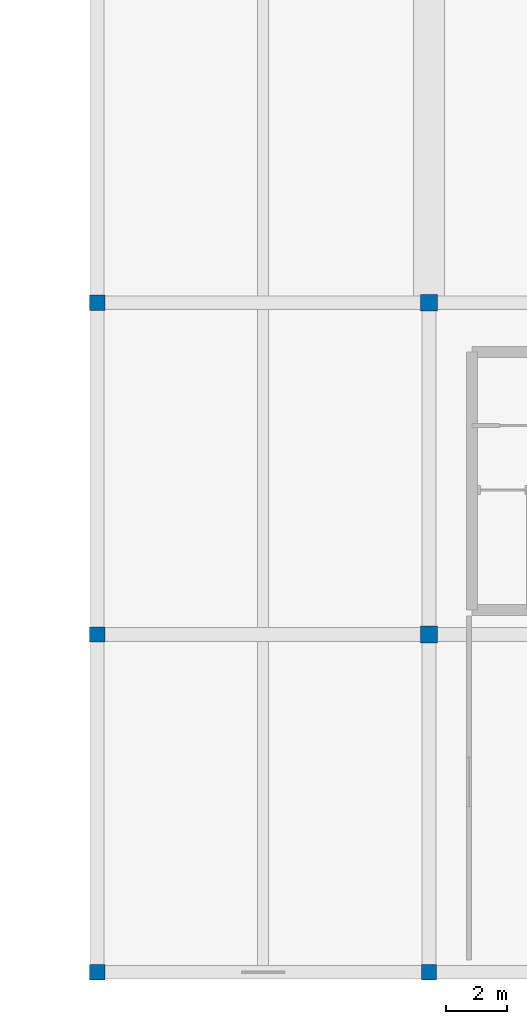
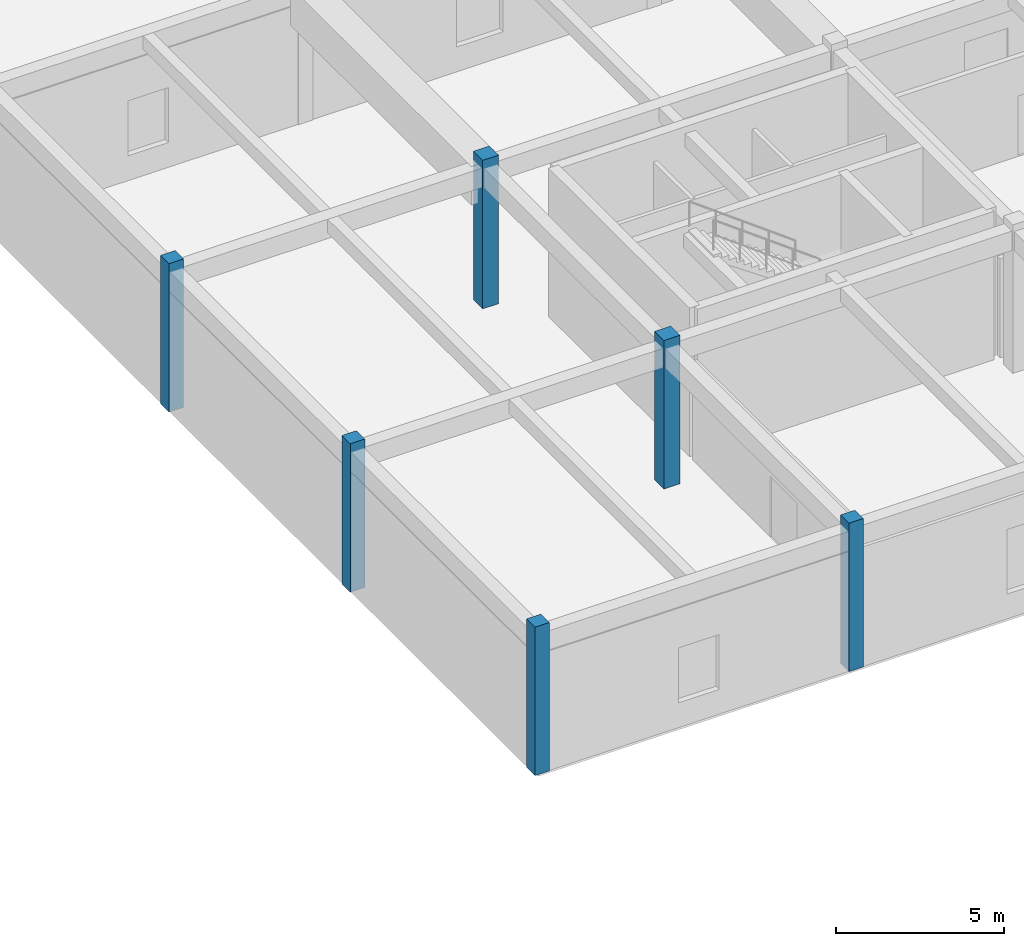
# One storey, part 5 of 97: 6 columns.
"""IFC4 building model written with IfcOpenShell, lengths in metres."""

from ifc_helpers import new_model, si_unit, derived_unit, direction, frame, origin, origin_2d, place, context, subcontext, project, spatial, rectangle, extrude, material, material_profile, profile_set, type_object, element, save


model = new_model("IFC4")

# Units and contexts
model_context = context("Model", 3, precision=1e-05, world=origin(), true_north=direction((0.0, 1.0)))
body_context = subcontext(model_context, "Body", "Model", "MODEL_VIEW")
ifc_project = project(units=[si_unit("LENGTHUNIT", "METRE"), si_unit("AREAUNIT", "SQUARE_METRE"), si_unit("VOLUMEUNIT", "CUBIC_METRE"), si_unit("PLANEANGLEUNIT", "RADIAN"), si_unit("MASSUNIT", "GRAM", prefix="KILO"), derived_unit("THERMALTRANSMITTANCEUNIT", [(si_unit("POWERUNIT", "WATT"), 1), (si_unit("LENGTHUNIT", "METRE"), -2), (si_unit("THERMODYNAMICTEMPERATUREUNIT", "KELVIN"), -1)])], contexts=[model_context])

# Site, building, storey
site_placement = place(None, origin())
site = spatial("IfcSite", under=ifc_project, at=site_placement, CompositionType="ELEMENT")
building_placement = place(site_placement, origin())
building = spatial("IfcBuilding", under=site, at=building_placement, Name="Almenara Railside Exhibition Hall", CompositionType="ELEMENT")
storey_placement = place(building_placement, frame((0.0, 0.0, 10.800048828125)))
storey = spatial("IfcBuildingStorey", under=building, at=storey_placement, Name="L02", CompositionType="ELEMENT", Elevation=10.800048828125)

# Columns
ifc_material = material(Name="Concrete C35/45", Category="concrete")
ifc_material_profile_1 = material_profile(ifc_material, rectangle(XDim=0.5, YDim=0.5, at=origin_2d()), Name="RC 500x500")
ifc_profile_set_1 = profile_set([ifc_material_profile_1], Name="Concrete C35/45")
column_type_1 = type_object("IfcColumnType", Name="RC Column 500x500 C35/45", PredefinedType="COLUMN", material=ifc_profile_set_1)
for number, where, z_axis, x_axis, name in (
    (1, (115.199951171875, 0.0, 0.0), (0.0, 0.0, 1.0), (1.0, 0.0, 0.0), "Column 0288"),
    (2, (115.199951171875, 11.0, 0.0), (0.0, 0.0, 1.0), (1.0, 0.0, 0.0), "Column 0292"),
    (3, (115.199951171875, 21.800048828125, 0.0), (0.0, 0.0, 1.0), (1.0, 0.0, 0.0), "Column 0296"),
    (4, (126.0, 0.0, 0.0), (0.0, 0.0, 1.0), (1.0, 0.0, 0.0), "Column 0304"),
):
    element("IfcColumn", number, at=place(storey_placement, frame(where, z_axis=z_axis, x_axis=x_axis)), inside=storey, type_object=column_type_1, Name=name, PredefinedType="COLUMN", context=body_context, shape_type="SweptSolid", body=[
        extrude(rectangle(XDim=0.5, YDim=0.5, at=origin_2d()), origin(), (0.0, 0.0, 1.0), 5.39990234375),
    ])
ifc_material_profile_2 = material_profile(ifc_material, rectangle(XDim=0.550048828125, YDim=0.550048828125, at=origin_2d()), Name="RC 550x550")
ifc_profile_set_2 = profile_set([ifc_material_profile_2], Name="Concrete C35/45")
column_type_2 = type_object("IfcColumnType", Name="RC Column 550x550 C35/45", PredefinedType="COLUMN", material=ifc_profile_set_2)
for number, where, z_axis, x_axis, name in (
    (5, (126.0, 11.0, 0.0), (0.0, 0.0, 1.0), (1.0, 0.0, 0.0), "Column 0309"),
    (6, (126.0, 21.800048828125, 0.0), (0.0, 0.0, 1.0), (1.0, 0.0, 0.0), "Column 0314"),
):
    element("IfcColumn", number, at=place(storey_placement, frame(where, z_axis=z_axis, x_axis=x_axis)), inside=storey, type_object=column_type_2, Name=name, PredefinedType="COLUMN", context=body_context, shape_type="SweptSolid", body=[
        extrude(rectangle(XDim=0.550048828125, YDim=0.550048828125, at=origin_2d()), origin(), (0.0, 0.0, 1.0), 5.39990234375),
    ])

save(model, "model.ifc")
